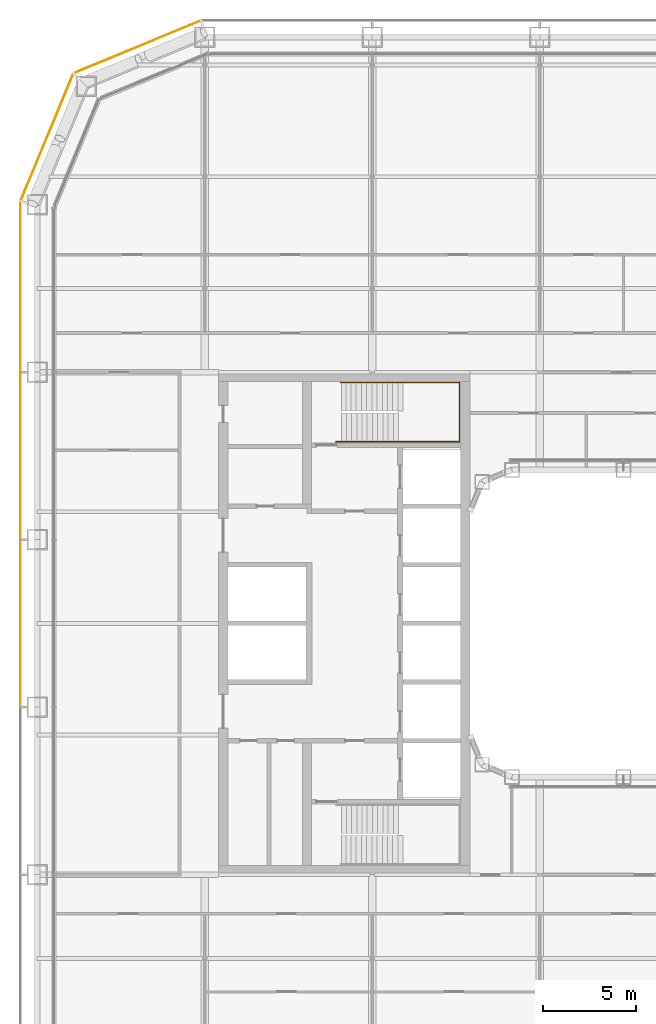
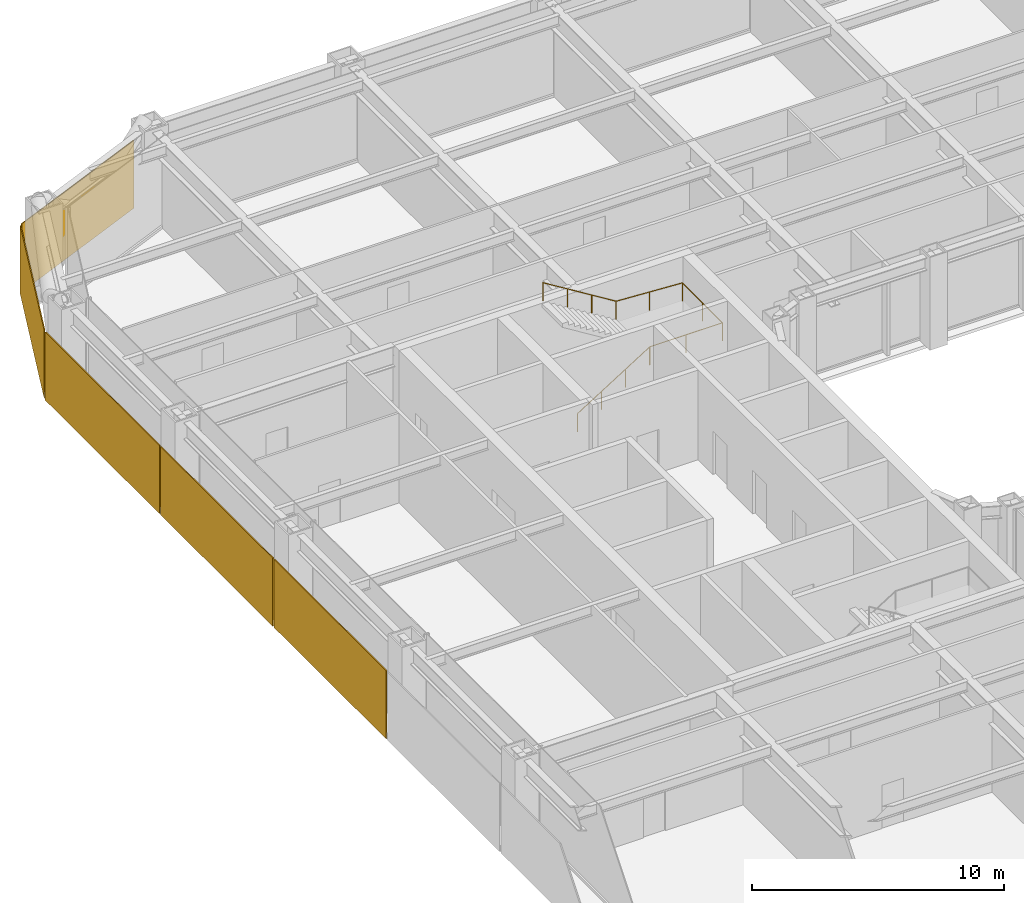
# One storey, part 22 of 24: 5 coverings, 1 railing.
"""IFC4 building model written with IfcOpenShell, lengths in metres."""

from ifc_helpers import new_model, si_unit, direction, frame, origin, origin_2d, place, context, subcontext, project, spatial, rectangle, circle, extrude, material, layer, layer_set, type_object, element, save


model = new_model("IFC4")

# Units and contexts
model_context = context("Model", 3, precision=1e-05, world=origin(), true_north=direction((0.0, 1.0)))
body_context = subcontext(model_context, "Body", "Model", "MODEL_VIEW")
ifc_project = project(units=[si_unit("LENGTHUNIT", "METRE"), si_unit("AREAUNIT", "SQUARE_METRE"), si_unit("VOLUMEUNIT", "CUBIC_METRE"), si_unit("PLANEANGLEUNIT", "RADIAN"), si_unit("MASSUNIT", "GRAM", prefix="KILO")], contexts=[model_context])

# Site, building, storey
site_placement = place(None, origin())
site = spatial("IfcSite", under=ifc_project, at=site_placement, CompositionType="ELEMENT")
building_placement = place(site_placement, origin())
building = spatial("IfcBuilding", under=site, at=building_placement, Name="Siwar Civic Tower", CompositionType="ELEMENT")
storey_placement = place(building_placement, frame((0.0, 0.0, 22.199951171875)))
storey = spatial("IfcBuildingStorey", under=building, at=storey_placement, Name="L04", CompositionType="ELEMENT", Elevation=22.199951171875)

# Railing
ifc_material_1 = material(Name="Stainless steel", Category="steel")
railing_type = type_object("IfcRailingType", Name="CORE-STAIR-HANDRAIL", PredefinedType="HANDRAIL", material=ifc_material_1)
railing_placement = place(storey_placement, frame((-15.449951171875, 9.758056640625, 0.173095703125)))
element("IfcRailing", 1, at=railing_placement, inside=storey, type_object=railing_type, Name="Stair handrail ST1", PredefinedType="HANDRAIL", context=body_context, shape_type="SweptSolid", body=[
    extrude(circle(Radius=0.02001953125, at=origin_2d()), frame((0.0, 0.0, 0.8798828125), z_axis=(0.847063342986, 0.0, 0.531491950051), x_axis=(0.0, 1.0, 0.0)), (0.0, 0.0, 1.0), 3.90771484375),
    extrude(circle(Radius=0.02001953125, at=origin_2d()), frame((3.31005859375, 0.0, 2.956787109375), z_axis=(1.0, 0.0, 0.0), x_axis=(0.0, 1.0, 0.0)), (0.0, 0.0, 1.0), 3.331787109375),
    extrude(circle(Radius=0.02001953125, at=origin_2d()), frame((6.641845703125, 0.0, 2.956787109375), z_axis=(0.0, 1.0, 0.0), x_axis=(-1.0, 0.0, 0.0)), (0.0, 0.0, 1.0), 3.183837890625),
    extrude(circle(Radius=0.02001953125, at=origin_2d()), frame((6.641845703125, 3.183837890625, 2.956787109375), z_axis=(-0.99837434197, 0.0, 0.056997134106), x_axis=(0.0, -1.0, 0.0)), (0.0, 0.0, 1.0), 3.036865234375),
    extrude(circle(Radius=0.02001953125, at=origin_2d()), frame((3.60986328125, 3.183837890625, 3.1298828125), z_axis=(-0.850606129759, 0.0, 0.525803396734), x_axis=(0.0, -1.0, 0.0)), (0.0, 0.0, 1.0), 3.949951171875),
    extrude(circle(Radius=0.02001953125, at=origin_2d()), origin(), (0.0, 0.0, 1.0), 0.85986328125),
    extrude(circle(Radius=0.02001953125, at=origin_2d()), frame((1.103271484375, 0.0, 0.6923828125)), (0.0, 0.0, 1.0), 0.85986328125),
    extrude(circle(Radius=0.02001953125, at=origin_2d()), frame((2.206787109375, 0.0, 1.384521484375)), (0.0, 0.0, 1.0), 0.85986328125),
    extrude(circle(Radius=0.02001953125, at=origin_2d()), frame((3.31005859375, 0.0, 2.076904296875)), (0.0, 0.0, 1.0), 0.85986328125),
    extrude(circle(Radius=0.02001953125, at=origin_2d()), frame((4.97607421875, 0.0, 2.076904296875)), (0.0, 0.0, 1.0), 0.85986328125),
    extrude(circle(Radius=0.02001953125, at=origin_2d()), frame((6.641845703125, 0.0, 2.076904296875)), (0.0, 0.0, 1.0), 0.85986328125),
    extrude(circle(Radius=0.02001953125, at=origin_2d()), frame((6.641845703125, 1.591796875, 2.076904296875)), (0.0, 0.0, 1.0), 0.85986328125),
    extrude(circle(Radius=0.02001953125, at=origin_2d()), frame((6.641845703125, 3.183837890625, 2.076904296875)), (0.0, 0.0, 1.0), 0.85986328125),
    extrude(circle(Radius=0.02001953125, at=origin_2d()), frame((5.1259765625, 3.183837890625, 2.16357421875)), (0.0, 0.0, 1.0), 0.85986328125),
    extrude(circle(Radius=0.02001953125, at=origin_2d()), frame((3.60986328125, 3.183837890625, 2.25)), (0.0, 0.0, 1.0), 0.85986328125),
    extrude(circle(Radius=0.02001953125, at=origin_2d()), frame((2.489990234375, 3.183837890625, 2.9423828125)), (0.0, 0.0, 1.0), 0.85986328125),
    extrude(circle(Radius=0.02001953125, at=origin_2d()), frame((1.369873046875, 3.183837890625, 3.634521484375)), (0.0, 0.0, 1.0), 0.85986328125),
    extrude(circle(Radius=0.02001953125, at=origin_2d()), frame((0.25, 3.183837890625, 4.326904296875)), (0.0, 0.0, 1.0), 0.85986328125),
])

# Coverings
ifc_material_2 = material(Name="Perforated aluminium cassette, pale metal", Category="aluminium")
ifc_layer_1 = layer(ifc_material_2, 0.0400390625)
ifc_layer_set_1 = layer_set([ifc_layer_1], Name="Perforated aluminium cassette, pale metal")
covering_type_1 = type_object("IfcCoveringType", Name="ENV-OUTER SKIN OS-1", PredefinedType="CLADDING", material=ifc_layer_set_1)
covering_1_placement = place(storey_placement, frame((-26.115966796875, 30.976318359375, -0.14990234375), z_axis=(0.0, 0.0, 1.0), x_axis=(-0.923879532511, -0.382683432365, 0.0)))
element("IfcCovering", 2, at=covering_1_placement, inside=storey, type_object=covering_type_1, Name="OUTER SKIN OS-1 NW1 1", PredefinedType="CLADDING", context=body_context, shape_type="SweptSolid", body=[
    extrude(rectangle(XDim=7.300048828125, YDim=0.0400390625, at=origin_2d()), origin(), (0.0, 0.0, 1.0), 3.300048828125),
])
ifc_material_3 = material(Name="Perforated aluminium cassette, pale metal", Category="aluminium")
ifc_layer_2 = layer(ifc_material_3, 0.044921875)
ifc_layer_set_2 = layer_set([ifc_layer_2], Name="Perforated aluminium cassette, pale metal")
covering_type_2 = type_object("IfcCoveringType", Name="ENV-OUTER SKIN OS-2", PredefinedType="CLADDING", material=ifc_layer_set_2)
covering_2_placement = place(storey_placement, frame((-30.976318359375, 26.115966796875, -0.14990234375), z_axis=(0.0, 0.0, 1.0), x_axis=(-0.382683432365, -0.923879532511, 0.0)))
element("IfcCovering", 3, at=covering_2_placement, inside=storey, type_object=covering_type_2, Name="OUTER SKIN OS-2 NW2 1", PredefinedType="CLADDING", context=body_context, shape_type="SweptSolid", body=[
    extrude(rectangle(XDim=7.300048828125, YDim=0.044921875, at=origin_2d()), origin(), (0.0, 0.0, 1.0), 3.300048828125),
])
ifc_material_4 = material(Name="Perforated aluminium cassette, pale metal", Category="aluminium")
ifc_layer_3 = layer(ifc_material_4, 0.050048828125)
ifc_layer_set_3 = layer_set([ifc_layer_3], Name="Perforated aluminium cassette, pale metal")
covering_type_3 = type_object("IfcCoveringType", Name="ENV-OUTER SKIN OS-3", PredefinedType="CLADDING", material=ifc_layer_set_3)
covering_3_placement = place(storey_placement, frame((-32.39990234375, 18.07958984375, -0.14990234375), z_axis=(0.0, 0.0, 1.0), x_axis=(0.0, -1.0, 0.0)))
element("IfcCovering", 4, at=covering_3_placement, inside=storey, type_object=covering_type_3, Name="OUTER SKIN OS-3 W 1", PredefinedType="CLADDING", context=body_context, shape_type="SweptSolid", body=[
    extrude(rectangle(XDim=9.05908203125, YDim=0.050048828125, at=origin_2d()), origin(), (0.0, 0.0, 1.0), 3.300048828125),
])
for number, where, z_axis, x_axis, name in (
    (5, (-32.39990234375, 9.0, -0.14990234375), (0.0, 0.0, 1.0), (0.0, -1.0, 0.0), "OUTER SKIN OS-3 W 2"),
    (6, (-32.39990234375, 0.0, -0.14990234375), (0.0, 0.0, 1.0), (0.0, -1.0, 0.0), "OUTER SKIN OS-3 W 3"),
):
    element("IfcCovering", number, at=place(storey_placement, frame(where, z_axis=z_axis, x_axis=x_axis)), inside=storey, type_object=covering_type_3, Name=name, PredefinedType="CLADDING", context=body_context, shape_type="SweptSolid", body=[
        extrude(rectangle(XDim=8.89990234375, YDim=0.050048828125, at=origin_2d()), origin(), (0.0, 0.0, 1.0), 3.300048828125),
    ])

save(model, "model.ifc")
